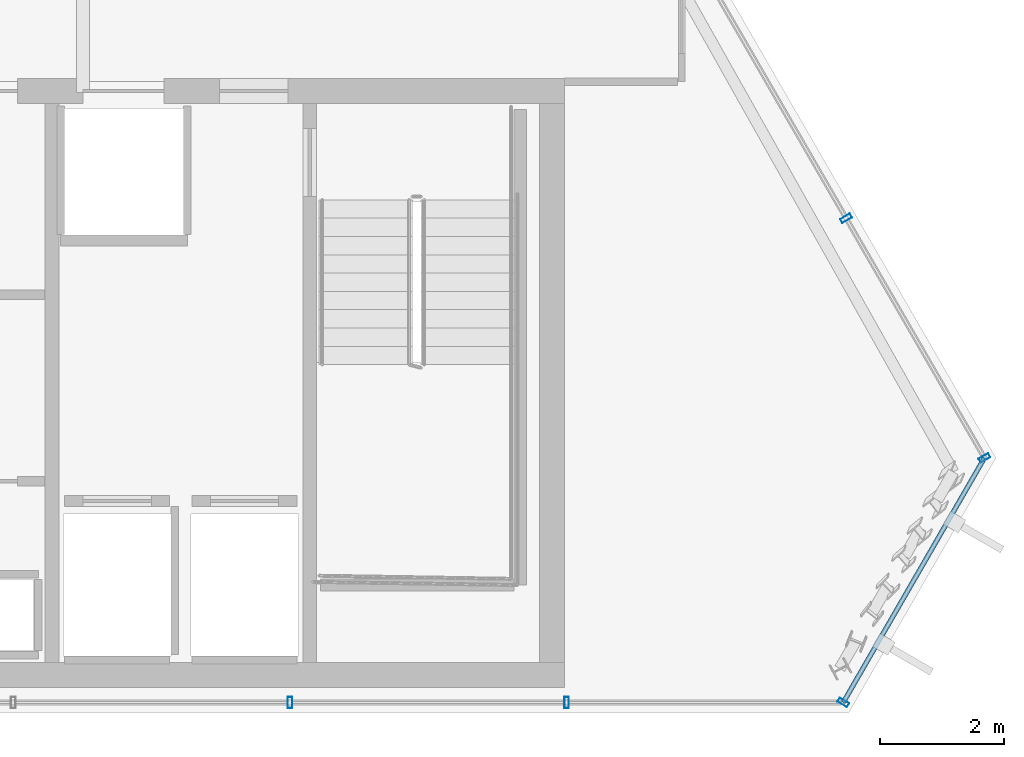
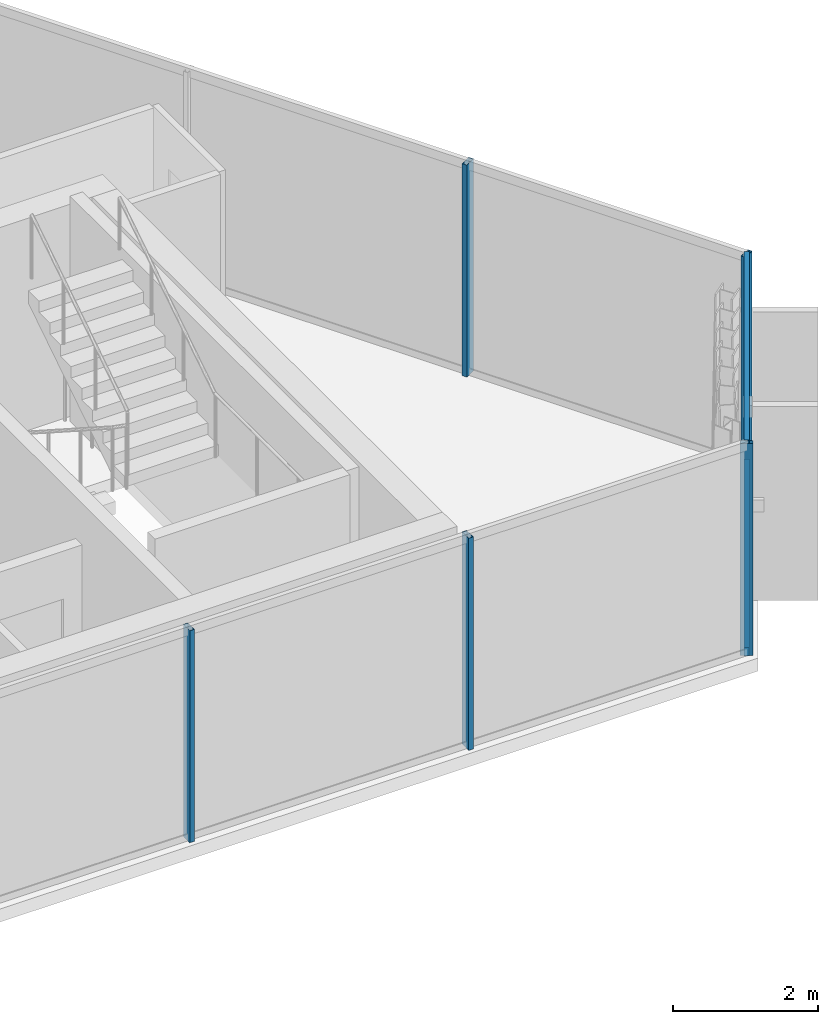
# One storey, part 20 of 32: 7 members, 3 elements without a shape of their own.
"""IFC4 building model written with IfcOpenShell, lengths in metres."""

from ifc_helpers import new_model, si_unit, direction, frame, origin, origin_2d, place, context, subcontext, project, spatial, hollow_rectangle, extrude, material, layer, layer_set, material_profile, profile_set, type_object, element, aggregate, save


model = new_model("IFC4")

# Units and contexts
model_context = context("Model", 3, precision=1e-05, world=origin(), true_north=direction((0.0, 1.0)))
body_context = subcontext(model_context, "Body", "Model", "MODEL_VIEW")
ifc_project = project(units=[si_unit("LENGTHUNIT", "METRE"), si_unit("AREAUNIT", "SQUARE_METRE"), si_unit("VOLUMEUNIT", "CUBIC_METRE"), si_unit("PLANEANGLEUNIT", "RADIAN"), si_unit("MASSUNIT", "GRAM", prefix="KILO")], contexts=[model_context])

# Site, building, storey
site_placement = place(None, origin())
site = spatial("IfcSite", under=ifc_project, at=site_placement, CompositionType="ELEMENT")
building_placement = place(site_placement, origin())
building = spatial("IfcBuilding", under=site, at=building_placement, Name="Ndaravel Arena Tower", CompositionType="ELEMENT")
storey_placement = place(building_placement, frame((0.0, 0.0, 290.89990234375)))
storey = spatial("IfcBuildingStorey", under=building, at=storey_placement, Name="L71", CompositionType="ELEMENT", Elevation=290.89990234375)

# Curtain wall, members
ifc_material_1 = material(Name="Aluminium", Category="aluminium")
ifc_layer_1 = layer(ifc_material_1, 0.179931640625)
ifc_layer_set_1 = layer_set([ifc_layer_1], Name="Aluminium")
curtain_wall_type_1 = type_object("IfcCurtainWallType", Name="CW-SYS-03", PredefinedType="NOTDEFINED", material=ifc_layer_set_1)
curtain_wall_1_placement = place(storey_placement, origin())
curtain_wall_1 = element("IfcCurtainWall", 1, at=curtain_wall_1_placement, inside=storey, type_object=curtain_wall_type_1, Name="L71 Faceted Crystal Curtain Wall CW-L71-E01", PredefinedType="NOTDEFINED")
ifc_material_2 = material(Name="Aluminium", Category="aluminium")
ifc_material_profile_1 = material_profile(ifc_material_2, hollow_rectangle(XDim=0.074951171875, YDim=0.179931640625, WallThickness=0.00390625, at=origin_2d()), Name="CW MULLION 75x180x4")
ifc_profile_set_1 = profile_set([ifc_material_profile_1], Name="Aluminium")
member_type_1 = type_object("IfcMemberType", Name="MEM-CW-MUL180", PredefinedType="MULLION", material=ifc_profile_set_1)
member_1_placement = place(storey_placement, frame((53.130615234375, 5.159912109375, 0.0), z_axis=(0.0, 0.0, 1.0), x_axis=(1.0, 0.0, 0.0)))
member_1 = element("IfcMember", 2, at=member_1_placement, type_object=member_type_1, Name="CW-L71-E01 Mullion 07", PredefinedType="MULLION", context=body_context, shape_type="SweptSolid", body=[
    extrude(hollow_rectangle(XDim=0.074951171875, YDim=0.179931640625, WallThickness=0.00390625, at=origin_2d()), origin(), (0.0, 0.0, 1.0), 3.580078125),
])
member_2_placement = place(storey_placement, frame((57.5830078125, 5.159912109375, 0.0), z_axis=(0.0, 0.0, 1.0), x_axis=(1.0, 0.0, 0.0)))
member_2 = element("IfcMember", 3, at=member_2_placement, type_object=member_type_1, Name="CW-L71-E01 Mullion 08", PredefinedType="MULLION", context=body_context, shape_type="SweptSolid", body=[
    extrude(hollow_rectangle(XDim=0.074951171875, YDim=0.179931640625, WallThickness=0.00390625, at=origin_2d()), origin(), (0.0, 0.0, 1.0), 3.580078125),
])
aggregate(curtain_wall_1, [member_1, member_2])

# Curtain wall, member
ifc_material_3 = material(Name="Aluminium", Category="aluminium")
ifc_layer_2 = layer(ifc_material_3, 0.179931640625)
ifc_layer_set_2 = layer_set([ifc_layer_2], Name="Aluminium")
curtain_wall_type_2 = type_object("IfcCurtainWallType", Name="CW-SYS-01", PredefinedType="NOTDEFINED", material=ifc_layer_set_2)
curtain_wall_2_placement = place(storey_placement, origin())
curtain_wall_2 = element("IfcCurtainWall", 4, at=curtain_wall_2_placement, inside=storey, type_object=curtain_wall_type_2, Name="L71 Faceted Crystal Curtain Wall CW-L71-E02", PredefinedType="NOTDEFINED")
member_3_placement = place(storey_placement, frame((62.03515625, 5.159912109375, 0.0), z_axis=(0.0, 0.0, 1.0), x_axis=(0.499984884929, 0.866034130299, 0.0)))
member_3 = element("IfcMember", 5, at=member_3_placement, type_object=member_type_1, Name="CW-L71-E02 Mullion 00", PredefinedType="MULLION", context=body_context, shape_type="SweptSolid", body=[
    extrude(hollow_rectangle(XDim=0.074951171875, YDim=0.179931640625, WallThickness=0.00390625, at=origin_2d()), origin(), (0.0, 0.0, 1.0), 3.580078125),
])

# Curtain wall, members
curtain_wall_3_placement = place(storey_placement, origin())
curtain_wall_3 = element("IfcCurtainWall", 6, at=curtain_wall_3_placement, inside=storey, type_object=curtain_wall_type_1, Name="L71 Faceted Crystal Curtain Wall CW-L71-E03", PredefinedType="NOTDEFINED")
member_4_placement = place(storey_placement, frame((64.307373046875, 9.095947265625, 0.0), z_axis=(0.0, 0.0, 1.0), x_axis=(-0.5, 0.866025403784, 0.0)))
member_4 = element("IfcMember", 7, at=member_4_placement, type_object=member_type_1, Name="CW-L71-E03 Mullion 00", PredefinedType="MULLION", context=body_context, shape_type="SweptSolid", body=[
    extrude(hollow_rectangle(XDim=0.074951171875, YDim=0.179931640625, WallThickness=0.00390625, at=origin_2d()), origin(), (0.0, 0.0, 1.0), 3.580078125),
])
member_5_placement = place(storey_placement, frame((62.081298828125, 12.95166015625, 0.0), z_axis=(0.0, 0.0, 1.0), x_axis=(-0.5, 0.866025403784, 0.0)))
member_5 = element("IfcMember", 8, at=member_5_placement, type_object=member_type_1, Name="CW-L71-E03 Mullion 01", PredefinedType="MULLION", context=body_context, shape_type="SweptSolid", body=[
    extrude(hollow_rectangle(XDim=0.074951171875, YDim=0.179931640625, WallThickness=0.00390625, at=origin_2d()), origin(), (0.0, 0.0, 1.0), 3.580078125),
])
aggregate(curtain_wall_3, [member_4, member_5])

# Member
ifc_material_4 = material(Name="Aluminium", Category="aluminium")
ifc_material_profile_2 = material_profile(ifc_material_4, hollow_rectangle(XDim=0.074951171875, YDim=0.14990234375, WallThickness=0.00390625, at=origin_2d()), Name="CW TRANSOM 75x150x4")
ifc_profile_set_2 = profile_set([ifc_material_profile_2], Name="Aluminium")
member_type_2 = type_object("IfcMemberType", Name="MEM-CW-TRN150", PredefinedType="USERDEFINED", material=ifc_profile_set_2)
member_6_placement = place(storey_placement, frame((62.03515625, 5.159912109375, 0.0400390625), z_axis=(0.49995805709, 0.866049618181, 0.0), x_axis=(-0.866049618181, 0.49995805709, 0.0)))
member_6 = element("IfcMember", 9, at=member_6_placement, type_object=member_type_2, Name="CW-L71-E02 Transom 01", ObjectType="TRANSOM", PredefinedType="USERDEFINED", context=body_context, shape_type="SweptSolid", body=[
    extrude(hollow_rectangle(XDim=0.074951171875, YDim=0.14990234375, WallThickness=0.00390625, at=origin_2d()), origin(), (0.0, 0.0, 1.0), 4.544921875),
])

member_7_placement = place(storey_placement, frame((62.03515625, 5.159912109375, 3.5400390625), z_axis=(0.49995805709, 0.866049618181, 0.0), x_axis=(-0.866049618181, 0.49995805709, 0.0)))
member_7 = element("IfcMember", 10, at=member_7_placement, type_object=member_type_2, Name="CW-L71-E02 Transom 02", ObjectType="TRANSOM", PredefinedType="USERDEFINED", context=body_context, shape_type="SweptSolid", body=[
    extrude(hollow_rectangle(XDim=0.074951171875, YDim=0.14990234375, WallThickness=0.00390625, at=origin_2d()), origin(), (0.0, 0.0, 1.0), 4.544921875),
])

aggregate(curtain_wall_2, [member_3, member_6, member_7])

save(model, "model.ifc")
